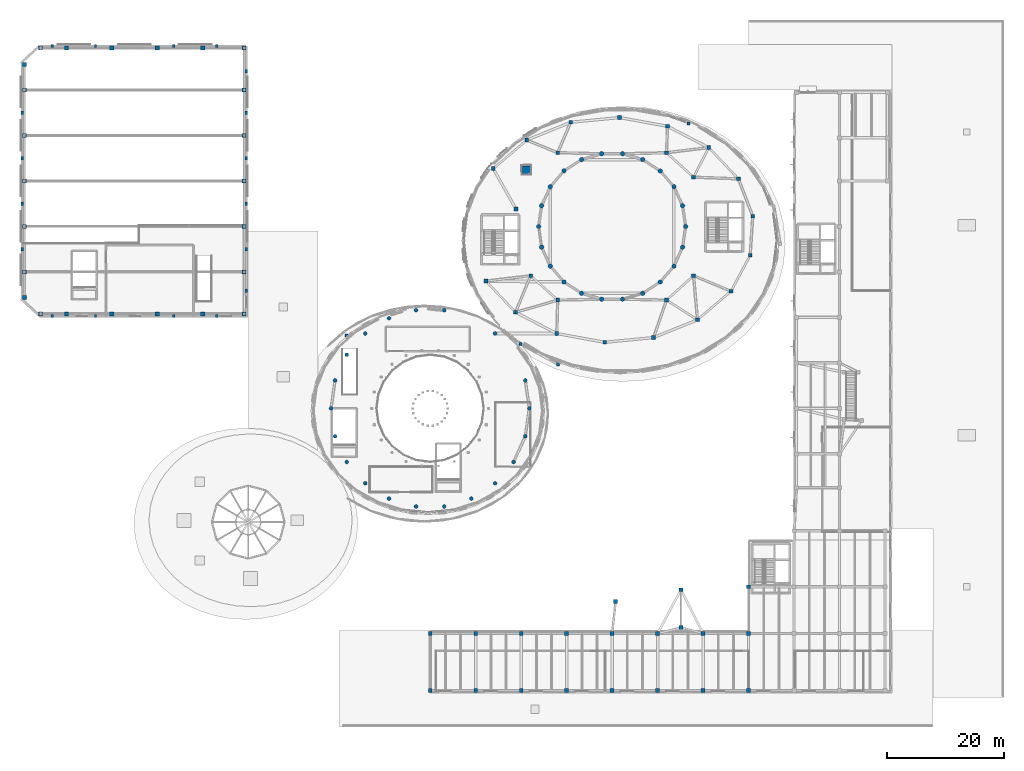
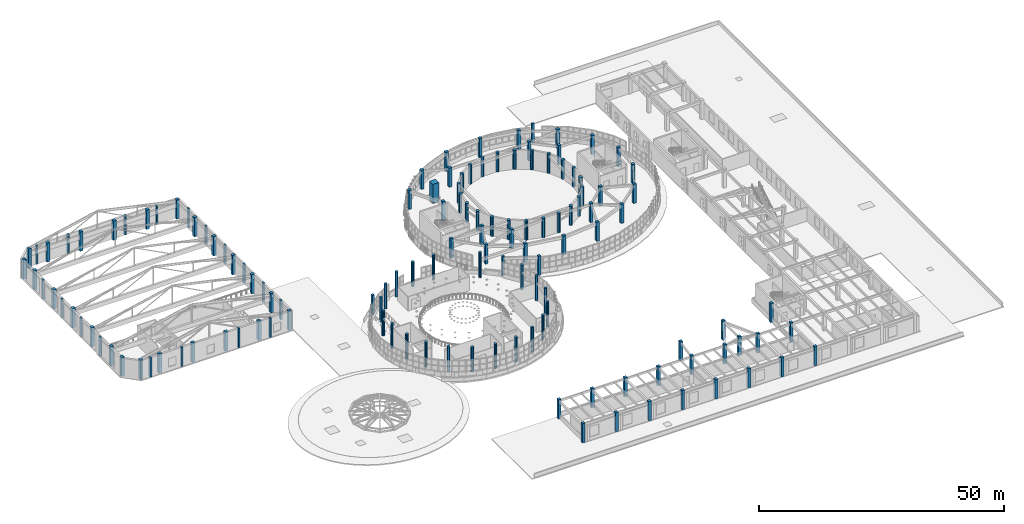
# One storey, part 1 of 105: 133 columns.
"""IFC4 building model written with IfcOpenShell, lengths in metres."""

from ifc_helpers import new_model, si_unit, direction, frame, origin, origin_2d, place, context, subcontext, project, spatial, rectangle, circle, extrude, material, material_profile, profile_set, type_object, element, save


model = new_model("IFC4")

# Units and contexts
model_context = context("Model", 3, precision=1e-05, world=origin(), true_north=direction((0.0, 1.0)))
body_context = subcontext(model_context, "Body", "Model", "MODEL_VIEW")
ifc_project = project(units=[si_unit("LENGTHUNIT", "METRE"), si_unit("AREAUNIT", "SQUARE_METRE"), si_unit("VOLUMEUNIT", "CUBIC_METRE"), si_unit("PLANEANGLEUNIT", "RADIAN"), si_unit("MASSUNIT", "GRAM", prefix="KILO")], contexts=[model_context])

# Site, building, storey
site_placement = place(None, origin())
site = spatial("IfcSite", under=ifc_project, at=site_placement, CompositionType="ELEMENT")
building_placement = place(site_placement, origin())
building = spatial("IfcBuilding", under=site, at=building_placement, Name="Pelvatis Terrace Science Centre", CompositionType="ELEMENT")
storey_placement = place(building_placement, frame((0.0, 0.0, 10.199951171875)))
storey = spatial("IfcBuildingStorey", under=building, at=storey_placement, Name="L02", CompositionType="ELEMENT", Elevation=10.199951171875)

# Columns
ifc_material_1 = material(Name="Concrete C40/50", Category="concrete")
ifc_material_profile_1 = material_profile(ifc_material_1, rectangle(XDim=1.39990234375, YDim=1.39990234375, at=origin_2d()), Name="RC-COL 1400x1400")
ifc_profile_set_1 = profile_set([ifc_material_profile_1], Name="Concrete C40/50")
column_type_1 = type_object("IfcColumnType", Name="COL-PIER-1400", PredefinedType="COLUMN", material=ifc_profile_set_1)
column_placement = place(storey_placement, frame((94.5, 95.5, 0.0), z_axis=(0.0, 0.0, 1.0), x_axis=(1.0, 0.0, 0.0)))
element("IfcColumn", 1, at=column_placement, inside=storey, type_object=column_type_1, Name="Column PIER-OBS (L02)", PredefinedType="COLUMN", context=body_context, shape_type="SweptSolid", body=[
    extrude(rectangle(XDim=1.39990234375, YDim=1.39990234375, at=origin_2d()), origin(), (0.0, 0.0, 1.0), 4.800048828125),
])
ifc_material_2 = material(Name="Concrete C40/50", Category="concrete")
ifc_material_profile_2 = material_profile(ifc_material_2, rectangle(XDim=0.5, YDim=0.5, at=origin_2d()), Name="RC-COL 500x500")
ifc_profile_set_2 = profile_set([ifc_material_profile_2], Name="Concrete C40/50")
column_type_2 = type_object("IfcColumnType", Name="COL-RC-500x500", PredefinedType="COLUMN", material=ifc_profile_set_2)
for number, where, z_axis, x_axis, name in (
    (2, (122.274658203125, 103.448486328125, 0.0), (0.0, 0.0, 1.0), (1.0, 0.0, 0.0), "Column V1E-ST-05 (L02)"),
    (3, (93.484130859375, 65.64453125, 0.0), (0.0, 0.0, 1.0), (1.0, 0.0, 0.0), "Column V1E-ST-15 (L02)"),
):
    element("IfcColumn", number, at=place(storey_placement, frame(where, z_axis=z_axis, x_axis=x_axis)), inside=storey, type_object=column_type_2, Name=name, PredefinedType="COLUMN", context=body_context, shape_type="SweptSolid", body=[
        extrude(rectangle(XDim=0.5, YDim=0.5, at=origin_2d()), origin(), (0.0, 0.0, 1.0), 4.800048828125),
    ])
ifc_material_3 = material(Name="Concrete C40/50", Category="concrete")
ifc_material_profile_3 = material_profile(ifc_material_3, rectangle(XDim=0.550048828125, YDim=0.550048828125, at=origin_2d()), Name="RC-COL 550x550")
ifc_profile_set_3 = profile_set([ifc_material_profile_3], Name="Concrete C40/50")
column_type_3 = type_object("IfcColumnType", Name="COL-RC-550x550", PredefinedType="COLUMN", material=ifc_profile_set_3)
for number, where, z_axis, x_axis, name in (
    (4, (99.92529296875, 62.1513671875, 0.0), (0.0, 0.0, 1.0), (1.0, 0.0, 0.0), "Column V1E-ST-16 (L02)"),
    (5, (63.640869140625, 67.076904296875, 0.0), (0.0, 0.0, 1.0), (1.0, 0.0, 0.0), "Column V2E-B-09 (L02)"),
):
    element("IfcColumn", number, at=place(storey_placement, frame(where, z_axis=z_axis, x_axis=x_axis)), inside=storey, type_object=column_type_3, Name=name, PredefinedType="COLUMN", context=body_context, shape_type="SweptSolid", body=[
        extrude(rectangle(XDim=0.550048828125, YDim=0.550048828125, at=origin_2d()), origin(), (0.0, 0.0, 1.0), 4.800048828125),
    ])
ifc_material_4 = material(Name="Concrete C40/50", Category="concrete")
ifc_material_profile_4 = material_profile(ifc_material_4, rectangle(XDim=0.64990234375, YDim=0.64990234375, at=origin_2d()), Name="RC-COL 650x650")
ifc_profile_set_4 = profile_set([ifc_material_profile_4], Name="Concrete C40/50")
column_type_4 = type_object("IfcColumnType", Name="COL-RC-650x650", PredefinedType="COLUMN", material=ifc_profile_set_4)
for number, where, z_axis, x_axis, name in (
    (6, (133.31884765625, 87.552001953125, 0.0), (0.0, 0.0, 1.0), (1.0, 0.0, 0.0), "Column V1E-RF-01 (L02)"),
    (7, (130.8515625, 93.9619140625, 0.0), (0.0, 0.0, 1.0), (1.0, 0.0, 0.0), "Column V1E-RF-02 (L02)"),
    (8, (125.772705078125, 99.315185546875, 0.0), (0.0, 0.0, 1.0), (1.0, 0.0, 0.0), "Column V1E-RF-03 (L02)"),
    (9, (118.69482421875, 102.9658203125, 0.0), (0.0, 0.0, 1.0), (1.0, 0.0, 0.0), "Column V1E-RF-04 (L02)"),
    (10, (110.4716796875, 104.4736328125, 0.0), (0.0, 0.0, 1.0), (1.0, 0.0, 0.0), "Column V1E-RF-05 (L02)"),
    (11, (102.095458984375, 103.65673828125, 0.0), (0.0, 0.0, 1.0), (1.0, 0.0, 0.0), "Column V1E-RF-06 (L02)"),
    (12, (94.575927734375, 100.61376953125, 0.0), (0.0, 0.0, 1.0), (1.0, 0.0, 0.0), "Column V1E-RF-07 (L02)"),
    (13, (88.8203125, 95.71142578125, 0.0), (0.0, 0.0, 1.0), (1.0, 0.0, 0.0), "Column V1E-RF-08 (L02)"),
    (14, (87.548583984375, 76.43798828125, 0.0), (0.0, 0.0, 1.0), (1.0, 0.0, 0.0), "Column V1E-RF-11 (L02)"),
    (15, (92.62744140625, 71.0849609375, 0.0), (0.0, 0.0, 1.0), (1.0, 0.0, 0.0), "Column V1E-RF-12 (L02)"),
    (16, (99.705078125, 67.434326171875, 0.0), (0.0, 0.0, 1.0), (1.0, 0.0, 0.0), "Column V1E-RF-13 (L02)"),
    (17, (107.92822265625, 65.926513671875, 0.0), (0.0, 0.0, 1.0), (1.0, 0.0, 0.0), "Column V1E-RF-14 (L02)"),
    (18, (116.3046875, 66.743408203125, 0.0), (0.0, 0.0, 1.0), (1.0, 0.0, 0.0), "Column V1E-RF-15 (L02)"),
    (19, (123.82421875, 69.786376953125, 0.0), (0.0, 0.0, 1.0), (1.0, 0.0, 0.0), "Column V1E-RF-16 (L02)"),
    (20, (129.57958984375, 74.6884765625, 0.0), (0.0, 0.0, 1.0), (1.0, 0.0, 0.0), "Column V1E-RF-17 (L02)"),
    (21, (132.877197265625, 80.8583984375, 0.0), (0.0, 0.0, 1.0), (1.0, 0.0, 0.0), "Column V1E-RF-18 (L02)"),
    (22, (123.168701171875, 94.24462890625, 0.0), (0.0, 0.0, 1.0), (1.0, 0.0, 0.0), "Column V1E-IN-02 (L02)"),
    (23, (118.53369140625, 98.438232421875, 0.0), (0.0, 0.0, 1.0), (1.0, 0.0, 0.0), "Column V1E-IN-03 (L02)"),
    (24, (99.866455078125, 98.438232421875, 0.0), (0.0, 0.0, 1.0), (1.0, 0.0, 0.0), "Column V1E-IN-06 (L02)"),
    (25, (92.722900390625, 88.765380859375, 0.0), (0.0, 0.0, 1.0), (1.0, 0.0, 0.0), "Column V1E-IN-08 (L02)"),
    (26, (95.231201171875, 77.355224609375, 0.0), (0.0, 0.0, 1.0), (1.0, 0.0, 0.0), "Column V1E-IN-10 (L02)"),
    (27, (99.866455078125, 73.16162109375, 0.0), (0.0, 0.0, 1.0), (1.0, 0.0, 0.0), "Column V1E-IN-11 (L02)"),
    (28, (118.53369140625, 73.16162109375, 0.0), (0.0, 0.0, 1.0), (1.0, 0.0, 0.0), "Column V1E-IN-14 (L02)"),
    (29, (123.168701171875, 77.355224609375, 0.0), (0.0, 0.0, 1.0), (1.0, 0.0, 0.0), "Column V1E-IN-15 (L02)"),
    (30, (78.0, 6.199951171875, 0.0), (0.0, 0.0, 1.0), (1.0, 0.0, 0.0), "Column V5G-S-3-2 (L02)"),
    (31, (78.0, 16.0, 0.0), (0.0, 0.0, 1.0), (1.0, 0.0, 0.0), "Column V5G-S-3-3 (L02)"),
    (32, (85.800048828125, 6.199951171875, 0.0), (0.0, 0.0, 1.0), (1.0, 0.0, 0.0), "Column V5G-S-4-2 (L02)"),
    (33, (85.800048828125, 16.0, 0.0), (0.0, 0.0, 1.0), (1.0, 0.0, 0.0), "Column V5G-S-4-3 (L02)"),
    (34, (93.60009765625, 6.199951171875, 0.0), (0.0, 0.0, 1.0), (1.0, 0.0, 0.0), "Column V5G-S-5-2 (L02)"),
    (35, (93.60009765625, 16.0, 0.0), (0.0, 0.0, 1.0), (1.0, 0.0, 0.0), "Column V5G-S-5-3 (L02)"),
    (36, (101.39990234375, 6.199951171875, 0.0), (0.0, 0.0, 1.0), (1.0, 0.0, 0.0), "Column V5G-S-6-2 (L02)"),
    (37, (101.39990234375, 16.0, 0.0), (0.0, 0.0, 1.0), (1.0, 0.0, 0.0), "Column V5G-S-6-3 (L02)"),
    (38, (109.199951171875, 6.199951171875, 0.0), (0.0, 0.0, 1.0), (1.0, 0.0, 0.0), "Column V5G-S-7-2 (L02)"),
    (39, (109.199951171875, 16.0, 0.0), (0.0, 0.0, 1.0), (1.0, 0.0, 0.0), "Column V5G-S-7-3 (L02)"),
    (40, (117.0, 6.199951171875, 0.0), (0.0, 0.0, 1.0), (1.0, 0.0, 0.0), "Column V5G-S-8-2 (L02)"),
    (41, (117.0, 16.0, 0.0), (0.0, 0.0, 1.0), (1.0, 0.0, 0.0), "Column V5G-S-8-3 (L02)"),
    (42, (124.800048828125, 6.199951171875, 0.0), (0.0, 0.0, 1.0), (1.0, 0.0, 0.0), "Column V5G-S-9-2 (L02)"),
    (43, (124.800048828125, 16.0, 0.0), (0.0, 0.0, 1.0), (1.0, 0.0, 0.0), "Column V5G-S-9-3 (L02)"),
    (44, (132.60009765625, 6.199951171875, 0.0), (0.0, 0.0, 1.0), (1.0, 0.0, 0.0), "Column V5G-S-10-2 (L02)"),
    (45, (132.60009765625, 16.0, 0.0), (0.0, 0.0, 1.0), (1.0, 0.0, 0.0), "Column V5G-S-10-3 (L02)"),
    (46, (132.60009765625, 24.0, 0.0), (0.0, 0.0, 1.0), (1.0, 0.0, 0.0), "Column V5G-S-10-4 (L02)"),
    (47, (121.0, 17.0, 0.0), (0.0, 0.0, 1.0), (1.0, 0.0, 0.0), "Column SUPR2-16 (L02)"),
    (48, (109.800048828125, 21.5, 0.0), (0.0, 0.0, 1.0), (1.0, 0.0, 0.0), "Column SUPR2-18 (L02)"),
    (49, (121.0, 23.5, 0.0), (0.0, 0.0, 1.0), (1.0, 0.0, 0.0), "Column SUPR2-19 (L02)"),
):
    element("IfcColumn", number, at=place(storey_placement, frame(where, z_axis=z_axis, x_axis=x_axis)), inside=storey, type_object=column_type_4, Name=name, PredefinedType="COLUMN", context=body_context, shape_type="SweptSolid", body=[
        extrude(rectangle(XDim=0.64990234375, YDim=0.64990234375, at=origin_2d()), origin(), (0.0, 0.0, 1.0), 4.800048828125),
    ])
ifc_material_5 = material(Name="Concrete C40/50", Category="concrete")
ifc_material_profile_5 = material_profile(ifc_material_5, rectangle(XDim=0.699951171875, YDim=0.699951171875, at=origin_2d()), Name="RC-COL 700x700")
ifc_profile_set_5 = profile_set([ifc_material_profile_5], Name="Concrete C40/50")
column_type_5 = type_object("IfcColumnType", Name="COL-RC-700x700", PredefinedType="COLUMN", material=ifc_profile_set_5)
for number, where, z_axis, x_axis, name in (
    (50, (11.199951171875, 70.800048828125, 0.0), (0.0, 0.0, 1.0), (1.0, 0.0, 0.0), "Column V4I-1-1 (L02)"),
    (51, (8.39990234375, 78.0, 0.0), (0.0, 0.0, 1.0), (1.0, 0.0, 0.0), "Column V4I-1-2 (L02)"),
    (52, (8.39990234375, 85.800048828125, 0.0), (0.0, 0.0, 1.0), (1.0, 0.0, 0.0), "Column V4I-1-3 (L02)"),
    (53, (8.39990234375, 93.60009765625, 0.0), (0.0, 0.0, 1.0), (1.0, 0.0, 0.0), "Column V4I-1-4 (L02)"),
    (54, (8.39990234375, 101.39990234375, 0.0), (0.0, 0.0, 1.0), (1.0, 0.0, 0.0), "Column V4I-1-5 (L02)"),
    (55, (8.39990234375, 109.199951171875, 0.0), (0.0, 0.0, 1.0), (1.0, 0.0, 0.0), "Column V4I-1-6 (L02)"),
    (56, (11.199951171875, 116.39990234375, 0.0), (0.0, 0.0, 1.0), (1.0, 0.0, 0.0), "Column V4I-1-7 (L02)"),
    (57, (15.60009765625, 70.800048828125, 0.0), (0.0, 0.0, 1.0), (1.0, 0.0, 0.0), "Column V4I-2-1 (L02)"),
    (58, (15.60009765625, 116.39990234375, 0.0), (0.0, 0.0, 1.0), (1.0, 0.0, 0.0), "Column V4I-2-7 (L02)"),
    (59, (23.39990234375, 70.800048828125, 0.0), (0.0, 0.0, 1.0), (1.0, 0.0, 0.0), "Column V4I-3-1 (L02)"),
    (60, (23.39990234375, 116.39990234375, 0.0), (0.0, 0.0, 1.0), (1.0, 0.0, 0.0), "Column V4I-3-7 (L02)"),
    (61, (31.199951171875, 70.800048828125, 0.0), (0.0, 0.0, 1.0), (1.0, 0.0, 0.0), "Column V4I-4-1 (L02)"),
    (62, (31.199951171875, 116.39990234375, 0.0), (0.0, 0.0, 1.0), (1.0, 0.0, 0.0), "Column V4I-4-7 (L02)"),
    (63, (39.0, 70.800048828125, 0.0), (0.0, 0.0, 1.0), (1.0, 0.0, 0.0), "Column V4I-5-1 (L02)"),
    (64, (39.0, 116.39990234375, 0.0), (0.0, 0.0, 1.0), (1.0, 0.0, 0.0), "Column V4I-5-7 (L02)"),
    (65, (46.10009765625, 70.800048828125, 0.0), (0.0, 0.0, 1.0), (1.0, 0.0, 0.0), "Column V4I-6-1 (L02)"),
    (66, (46.10009765625, 78.0, 0.0), (0.0, 0.0, 1.0), (1.0, 0.0, 0.0), "Column V4I-6-2 (L02)"),
    (67, (46.10009765625, 85.800048828125, 0.0), (0.0, 0.0, 1.0), (1.0, 0.0, 0.0), "Column V4I-6-3 (L02)"),
    (68, (46.10009765625, 93.60009765625, 0.0), (0.0, 0.0, 1.0), (1.0, 0.0, 0.0), "Column V4I-6-4 (L02)"),
    (69, (46.10009765625, 101.39990234375, 0.0), (0.0, 0.0, 1.0), (1.0, 0.0, 0.0), "Column V4I-6-5 (L02)"),
    (70, (46.10009765625, 109.199951171875, 0.0), (0.0, 0.0, 1.0), (1.0, 0.0, 0.0), "Column V4I-6-6 (L02)"),
    (71, (46.10009765625, 116.39990234375, 0.0), (0.0, 0.0, 1.0), (1.0, 0.0, 0.0), "Column V4I-6-7 (L02)"),
    (72, (8.39990234375, 73.60009765625, 0.0), (0.0, 0.0, 1.0), (1.0, 0.0, 0.0), "Column V4I-CH-S (L02)"),
    (73, (8.39990234375, 113.60009765625, 0.0), (0.0, 0.0, 1.0), (1.0, 0.0, 0.0), "Column V4I-CH-N (L02)"),
):
    element("IfcColumn", number, at=place(storey_placement, frame(where, z_axis=z_axis, x_axis=x_axis)), inside=storey, type_object=column_type_5, Name=name, PredefinedType="COLUMN", context=body_context, shape_type="SweptSolid", body=[
        extrude(rectangle(XDim=0.699951171875, YDim=0.699951171875, at=origin_2d()), origin(), (0.0, 0.0, 1.0), 4.800048828125),
    ])
ifc_material_6 = material(Name="Concrete C40/50", Category="concrete")
ifc_material_profile_6 = material_profile(ifc_material_6, circle(Radius=0.324951171875, at=origin_2d()), Name="RC-RCOL D650")
ifc_profile_set_6 = profile_set([ifc_material_profile_6], Name="Concrete C40/50")
column_type_6 = type_object("IfcColumnType", Name="COL-RND-D650", PredefinedType="COLUMN", material=ifc_profile_set_6)
for number, where, z_axis, x_axis, name in (
    (74, (95.0, 54.60009765625, 0.0), (0.0, 0.0, 1.0), (1.0, 0.0, 0.0), "Column V2B-01 (L02)"),
    (75, (94.311279296875, 59.389404296875, 0.0), (0.0, 0.0, 1.0), (1.0, 0.0, 0.0), "Column V2B-02 (L02)"),
    (76, (89.132568359375, 67.44775390625, 0.0), (0.0, 0.0, 1.0), (1.0, 0.0, 0.0), "Column V2B-04 (L02)"),
    (77, (80.41943359375, 71.427001953125, 0.0), (0.0, 0.0, 1.0), (1.0, 0.0, 0.0), "Column V2B-06 (L02)"),
    (78, (75.58056640625, 71.427001953125, 0.0), (0.0, 0.0, 1.0), (1.0, 0.0, 0.0), "Column V2B-07 (L02)"),
    (79, (70.93798828125, 70.063720703125, 0.0), (0.0, 0.0, 1.0), (1.0, 0.0, 0.0), "Column V2B-08 (L02)"),
    (80, (66.867431640625, 67.44775390625, 0.0), (0.0, 0.0, 1.0), (1.0, 0.0, 0.0), "Column V2B-09 (L02)"),
    (81, (63.69873046875, 63.791015625, 0.0), (0.0, 0.0, 1.0), (1.0, 0.0, 0.0), "Column V2B-10 (L02)"),
    (82, (61.688720703125, 59.389404296875, 0.0), (0.0, 0.0, 1.0), (1.0, 0.0, 0.0), "Column V2B-11 (L02)"),
    (83, (61.0, 54.60009765625, 0.0), (0.0, 0.0, 1.0), (1.0, 0.0, 0.0), "Column V2B-12 (L02)"),
    (84, (61.688720703125, 49.810546875, 0.0), (0.0, 0.0, 1.0), (1.0, 0.0, 0.0), "Column V2B-13 (L02)"),
    (85, (63.69873046875, 45.4091796875, 0.0), (0.0, 0.0, 1.0), (1.0, 0.0, 0.0), "Column V2B-14 (L02)"),
    (86, (66.867431640625, 41.752197265625, 0.0), (0.0, 0.0, 1.0), (1.0, 0.0, 0.0), "Column V2B-15 (L02)"),
    (87, (70.93798828125, 39.13623046875, 0.0), (0.0, 0.0, 1.0), (1.0, 0.0, 0.0), "Column V2B-16 (L02)"),
    (88, (75.58056640625, 37.77294921875, 0.0), (0.0, 0.0, 1.0), (1.0, 0.0, 0.0), "Column V2B-17 (L02)"),
    (89, (80.41943359375, 37.77294921875, 0.0), (0.0, 0.0, 1.0), (1.0, 0.0, 0.0), "Column V2B-18 (L02)"),
    (90, (85.06201171875, 39.13623046875, 0.0), (0.0, 0.0, 1.0), (1.0, 0.0, 0.0), "Column V2B-19 (L02)"),
    (91, (89.132568359375, 41.752197265625, 0.0), (0.0, 0.0, 1.0), (1.0, 0.0, 0.0), "Column V2B-20 (L02)"),
    (92, (92.30126953125, 45.4091796875, 0.0), (0.0, 0.0, 1.0), (1.0, 0.0, 0.0), "Column V2B-21 (L02)"),
    (93, (94.311279296875, 49.810546875, 0.0), (0.0, 0.0, 1.0), (1.0, 0.0, 0.0), "Column V2B-22 (L02)"),
):
    element("IfcColumn", number, at=place(storey_placement, frame(where, z_axis=z_axis, x_axis=x_axis)), inside=storey, type_object=column_type_6, Name=name, PredefinedType="COLUMN", context=body_context, shape_type="SweptSolid", body=[
        extrude(circle(Radius=0.324951171875, at=origin_2d()), origin(), (0.0, 0.0, 1.0), 6.199951171875),
    ])
ifc_material_7 = material(Name="Concrete C40/50", Category="concrete")
ifc_material_profile_7 = material_profile(ifc_material_7, circle(Radius=0.375, at=origin_2d()), Name="RC-RCOL D750")
ifc_profile_set_7 = profile_set([ifc_material_profile_7], Name="Concrete C40/50")
column_type_7 = type_object("IfcColumnType", Name="COL-RND-D750", PredefinedType="COLUMN", material=ifc_profile_set_7)
for number, where, z_axis, x_axis, name in (
    (94, (121.800048828125, 85.800048828125, 0.0), (0.0, 0.0, 1.0), (1.0, 0.0, 0.0), "Column V1D-01 (L02)"),
    (95, (121.28955078125, 89.349853515625, 0.0), (0.0, 0.0, 1.0), (1.0, 0.0, 0.0), "Column V1D-02 (L02)"),
    (96, (119.7998046875, 92.612060546875, 0.0), (0.0, 0.0, 1.0), (1.0, 0.0, 0.0), "Column V1D-03 (L02)"),
    (97, (117.451171875, 95.322509765625, 0.0), (0.0, 0.0, 1.0), (1.0, 0.0, 0.0), "Column V1D-04 (L02)"),
    (98, (114.43408203125, 97.261474609375, 0.0), (0.0, 0.0, 1.0), (1.0, 0.0, 0.0), "Column V1D-05 (L02)"),
    (99, (110.9931640625, 98.271728515625, 0.0), (0.0, 0.0, 1.0), (1.0, 0.0, 0.0), "Column V1D-06 (L02)"),
    (100, (107.40673828125, 98.271728515625, 0.0), (0.0, 0.0, 1.0), (1.0, 0.0, 0.0), "Column V1D-07 (L02)"),
    (101, (103.9658203125, 97.261474609375, 0.0), (0.0, 0.0, 1.0), (1.0, 0.0, 0.0), "Column V1D-08 (L02)"),
    (102, (100.94873046875, 95.322509765625, 0.0), (0.0, 0.0, 1.0), (1.0, 0.0, 0.0), "Column V1D-09 (L02)"),
    (103, (98.60009765625, 92.612060546875, 0.0), (0.0, 0.0, 1.0), (1.0, 0.0, 0.0), "Column V1D-10 (L02)"),
    (104, (97.1103515625, 89.349853515625, 0.0), (0.0, 0.0, 1.0), (1.0, 0.0, 0.0), "Column V1D-11 (L02)"),
    (105, (96.60009765625, 85.800048828125, 0.0), (0.0, 0.0, 1.0), (1.0, 0.0, 0.0), "Column V1D-12 (L02)"),
    (106, (97.1103515625, 82.250244140625, 0.0), (0.0, 0.0, 1.0), (1.0, 0.0, 0.0), "Column V1D-13 (L02)"),
    (107, (98.60009765625, 78.98779296875, 0.0), (0.0, 0.0, 1.0), (1.0, 0.0, 0.0), "Column V1D-14 (L02)"),
    (108, (100.94873046875, 76.277587890625, 0.0), (0.0, 0.0, 1.0), (1.0, 0.0, 0.0), "Column V1D-15 (L02)"),
    (109, (103.9658203125, 74.338623046875, 0.0), (0.0, 0.0, 1.0), (1.0, 0.0, 0.0), "Column V1D-16 (L02)"),
    (110, (107.40673828125, 73.328125, 0.0), (0.0, 0.0, 1.0), (1.0, 0.0, 0.0), "Column V1D-17 (L02)"),
    (111, (110.9931640625, 73.328125, 0.0), (0.0, 0.0, 1.0), (1.0, 0.0, 0.0), "Column V1D-18 (L02)"),
    (112, (114.43408203125, 74.338623046875, 0.0), (0.0, 0.0, 1.0), (1.0, 0.0, 0.0), "Column V1D-19 (L02)"),
    (113, (117.451171875, 76.277587890625, 0.0), (0.0, 0.0, 1.0), (1.0, 0.0, 0.0), "Column V1D-20 (L02)"),
    (114, (119.7998046875, 78.98779296875, 0.0), (0.0, 0.0, 1.0), (1.0, 0.0, 0.0), "Column V1D-21 (L02)"),
    (115, (121.28955078125, 82.250244140625, 0.0), (0.0, 0.0, 1.0), (1.0, 0.0, 0.0), "Column V1D-22 (L02)"),
):
    element("IfcColumn", number, at=place(storey_placement, frame(where, z_axis=z_axis, x_axis=x_axis)), inside=storey, type_object=column_type_7, Name=name, PredefinedType="COLUMN", context=body_context, shape_type="SweptSolid", body=[
        extrude(circle(Radius=0.375, at=origin_2d()), origin(), (0.0, 0.0, 1.0), 4.800048828125),
    ])
ifc_material_8 = material(Name="Concrete C40/50", Category="concrete")
ifc_material_profile_8 = material_profile(ifc_material_8, rectangle(XDim=0.39990234375, YDim=0.580078125, at=origin_2d()), Name="RC-PIL 400x580")
ifc_profile_set_8 = profile_set([ifc_material_profile_8], Name="Concrete C40/50")
column_type_8 = type_object("IfcColumnType", Name="PIL-RC-400x580", PredefinedType="PILASTER", material=ifc_profile_set_8)
for number, where, z_axis, x_axis, name in (
    (116, (46.449951171875, 74.800048828125, 0.0), (0.0, 0.0, 1.0), (1.0, 0.0, 0.0), "Column PIL-E01 (L02)"),
    (117, (8.050048828125, 81.89990234375, 0.0), (0.0, 0.0, 1.0), (1.0, 0.0, 0.0), "Column PIL-W02 (L02)"),
    (118, (46.449951171875, 81.89990234375, 0.0), (0.0, 0.0, 1.0), (1.0, 0.0, 0.0), "Column PIL-E02 (L02)"),
    (119, (8.050048828125, 89.699951171875, 0.0), (0.0, 0.0, 1.0), (1.0, 0.0, 0.0), "Column PIL-W03 (L02)"),
    (120, (46.449951171875, 89.699951171875, 0.0), (0.0, 0.0, 1.0), (1.0, 0.0, 0.0), "Column PIL-E03 (L02)"),
    (121, (8.050048828125, 97.5, 0.0), (0.0, 0.0, 1.0), (1.0, 0.0, 0.0), "Column PIL-W04 (L02)"),
    (122, (46.449951171875, 97.5, 0.0), (0.0, 0.0, 1.0), (1.0, 0.0, 0.0), "Column PIL-E04 (L02)"),
    (123, (8.050048828125, 105.300048828125, 0.0), (0.0, 0.0, 1.0), (1.0, 0.0, 0.0), "Column PIL-W05 (L02)"),
    (124, (46.449951171875, 105.300048828125, 0.0), (0.0, 0.0, 1.0), (1.0, 0.0, 0.0), "Column PIL-E05 (L02)"),
    (125, (46.449951171875, 112.39990234375, 0.0), (0.0, 0.0, 1.0), (1.0, 0.0, 0.0), "Column PIL-E06 (L02)"),
    (126, (13.199951171875, 70.449951171875, 0.0), (0.0, 0.0, 1.0), (1.0, 0.0, 0.0), "Column PIL-S01 (L02)"),
    (127, (13.199951171875, 116.75, 0.0), (0.0, 0.0, 1.0), (1.0, 0.0, 0.0), "Column PIL-N01 (L02)"),
    (128, (20.60009765625, 70.449951171875, 0.0), (0.0, 0.0, 1.0), (1.0, 0.0, 0.0), "Column PIL-S02 (L02)"),
    (129, (20.60009765625, 116.75, 0.0), (0.0, 0.0, 1.0), (1.0, 0.0, 0.0), "Column PIL-N02 (L02)"),
    (130, (34.0, 70.449951171875, 0.0), (0.0, 0.0, 1.0), (1.0, 0.0, 0.0), "Column PIL-S03 (L02)"),
    (131, (34.0, 116.75, 0.0), (0.0, 0.0, 1.0), (1.0, 0.0, 0.0), "Column PIL-N03 (L02)"),
    (132, (41.39990234375, 70.449951171875, 0.0), (0.0, 0.0, 1.0), (1.0, 0.0, 0.0), "Column PIL-S04 (L02)"),
    (133, (41.39990234375, 116.75, 0.0), (0.0, 0.0, 1.0), (1.0, 0.0, 0.0), "Column PIL-N04 (L02)"),
):
    element("IfcColumn", number, at=place(storey_placement, frame(where, z_axis=z_axis, x_axis=x_axis)), inside=storey, type_object=column_type_8, Name=name, PredefinedType="PILASTER", context=body_context, shape_type="SweptSolid", body=[
        extrude(rectangle(XDim=0.39990234375, YDim=0.580078125, at=origin_2d()), origin(), (0.0, 0.0, 1.0), 4.800048828125),
    ])

save(model, "model.ifc")
